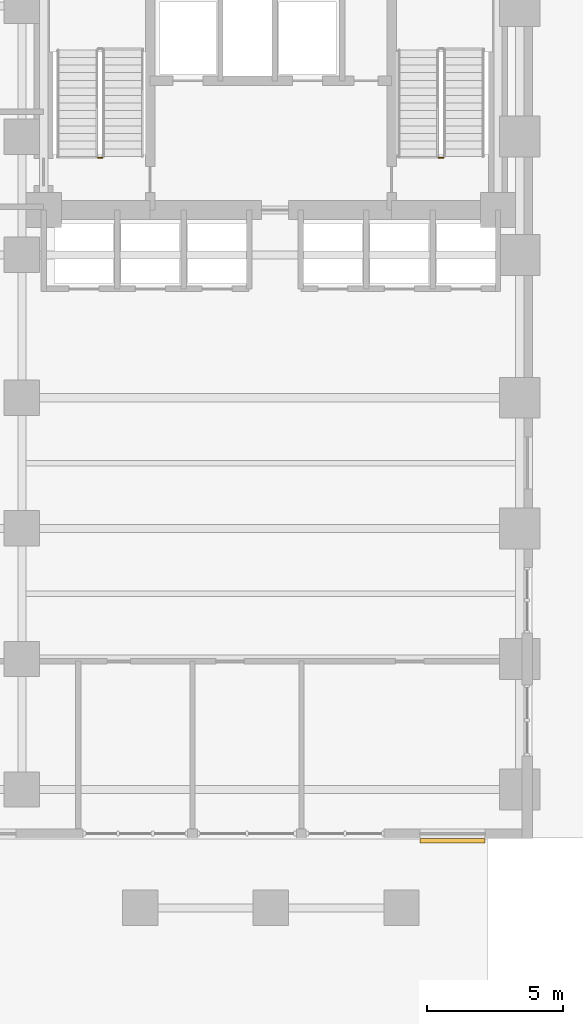
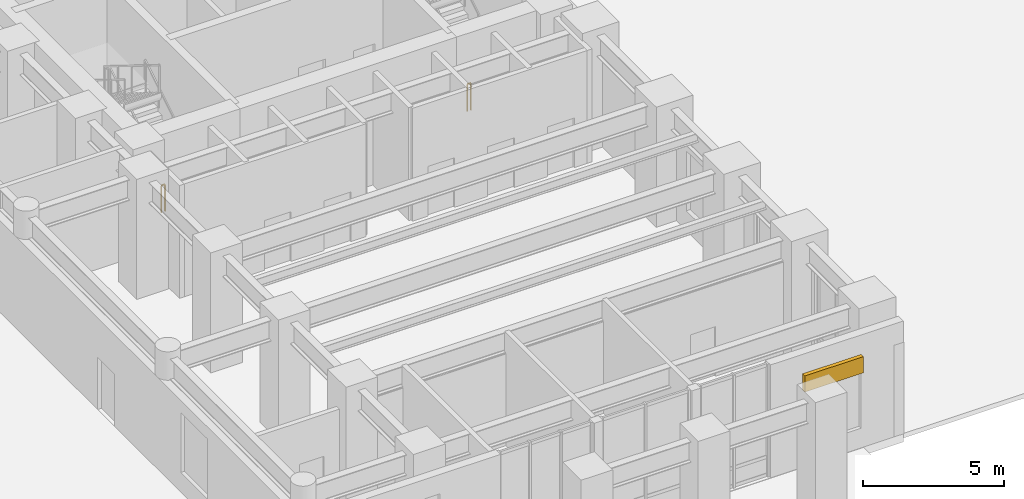
# One storey, part 12 of 16: 2 railings, 1 shading device.
"""IFC4 building model written with IfcOpenShell, lengths in metres."""

from ifc_helpers import new_model, si_unit, direction, frame, origin, origin_2d, place, context, subcontext, project, spatial, rectangle, extrude, material, type_object, element, save


model = new_model("IFC4")

# Units and contexts
model_context = context("Model", 3, precision=1e-05, world=origin(), true_north=direction((0.0, 1.0)))
body_context = subcontext(model_context, "Body", "Model", "MODEL_VIEW")
ifc_project = project(units=[si_unit("LENGTHUNIT", "METRE"), si_unit("AREAUNIT", "SQUARE_METRE"), si_unit("VOLUMEUNIT", "CUBIC_METRE"), si_unit("PLANEANGLEUNIT", "RADIAN"), si_unit("MASSUNIT", "GRAM", prefix="KILO")], contexts=[model_context])

# Site, building, storey
site_placement = place(None, origin())
site = spatial("IfcSite", under=ifc_project, at=site_placement, CompositionType="ELEMENT")
building_placement = place(site_placement, origin())
building = spatial("IfcBuilding", under=site, at=building_placement, Name="Orvandelia Arch Residences", CompositionType="ELEMENT")
storey_placement = place(building_placement, origin())
storey = spatial("IfcBuildingStorey", under=building, at=storey_placement, Name="L00", CompositionType="ELEMENT", Elevation=0.0)

# Railings
ifc_material_1 = material(Name="Brushed Stainless Steel 304", Category="steel")
railing_type = type_object("IfcRailingType", Name="RL-STAIR-GD1120", PredefinedType="GUARDRAIL", material=ifc_material_1)
for number, where, name in (
    (1, (8.199951171875, 32.820068359375, 0.0), "L00 ST-1 stair guard 4"),
    (2, (20.72998046875, 32.820068359375, 0.0), "L00 ST-2 stair guard 4"),
):
    element("IfcRailing", number, at=place(storey_placement, frame(where)), inside=storey, type_object=railing_type, Name=name, PredefinedType="GUARDRAIL", context=body_context, shape_type="SweptSolid", body=[
        extrude(rectangle(XDim=0.048095703125, YDim=0.048095703125, at=origin_2d()), frame((0.0, 0.0, 1.17578125), z_axis=(-1.0, 0.0, 0.0), x_axis=(0.0, -1.0, 0.0)), (0.0, 0.0, 1.0), 0.14990234375),
        extrude(rectangle(XDim=0.0419921875, YDim=0.0419921875, at=origin_2d()), origin(), (0.0, 0.0, 1.0), 1.15185546875),
        extrude(rectangle(XDim=0.0419921875, YDim=0.0419921875, at=origin_2d()), frame((-0.14990234375, 0.0, 0.0)), (0.0, 0.0, 1.0), 1.15185546875),
    ])

# Shading device
ifc_material_2 = material(Name="Anodised Champagne-Bronze Extruded Aluminium", Category="aluminium")
shading_device_type = type_object("IfcShadingDeviceType", Name="SHD-JALOUSIE-SCREEN", PredefinedType="JALOUSIE", material=ifc_material_2)
shading_device_placement = place(storey_placement, frame((21.074951171875, 7.719970703125, 3.35009765625), z_axis=(0.0, 0.0, 1.0), x_axis=(-1.0, 0.0, 0.0)))
element("IfcShadingDevice", 3, at=shading_device_placement, inside=storey, type_object=shading_device_type, Name="Bronze Jalousie Sun-Shade L00-001", PredefinedType="JALOUSIE", context=body_context, shape_type="SweptSolid", body=[
    extrude(rectangle(XDim=2.39990234375, YDim=0.159912109375, at=origin_2d()), origin(), (0.0, 0.0, 1.0), 0.699951171875),
])

save(model, "model.ifc")
